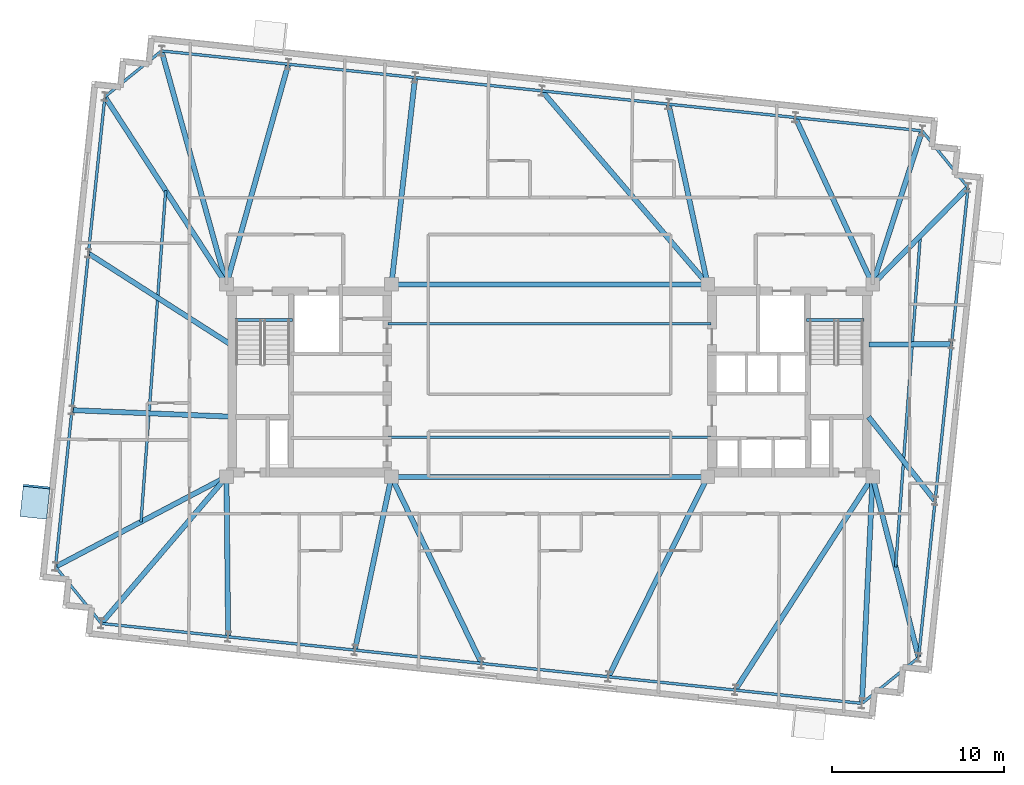
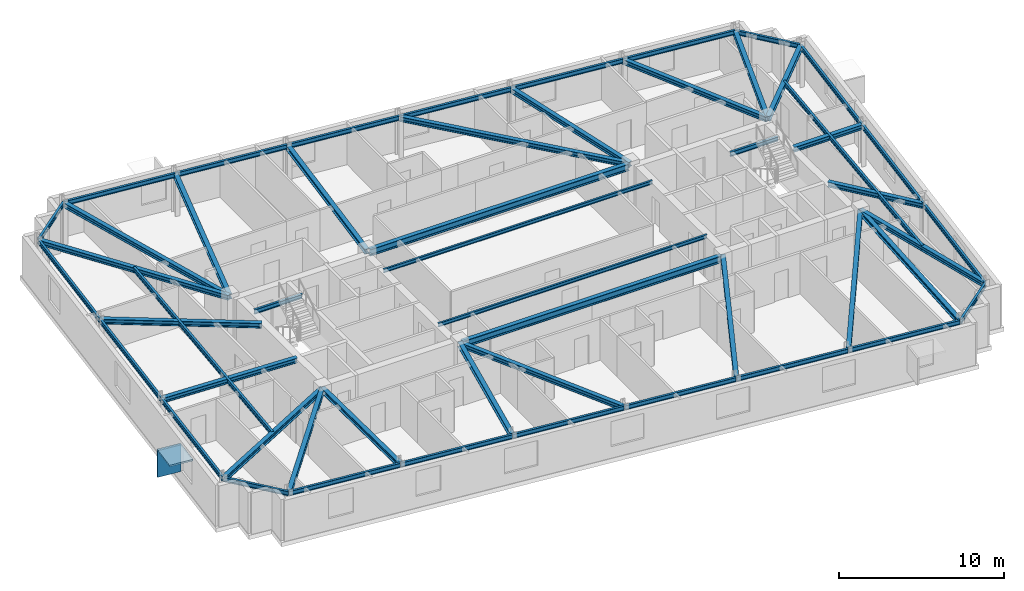
# One storey, part 4 of 11: 52 beams, 2 plates.
"""IFC4 building model written with IfcOpenShell, lengths in metres."""

from ifc_helpers import new_model, si_unit, direction, frame, origin, origin_2d, place, context, subcontext, project, spatial, rectangle, i_section, extrude, material, layer, layer_set, material_profile, profile_set, type_object, element, save


model = new_model("IFC4")

# Units and contexts
model_context = context("Model", 3, precision=1e-05, world=origin(), true_north=direction((0.0, 1.0)))
body_context = subcontext(model_context, "Body", "Model", "MODEL_VIEW")
ifc_project = project(units=[si_unit("LENGTHUNIT", "METRE"), si_unit("AREAUNIT", "SQUARE_METRE"), si_unit("VOLUMEUNIT", "CUBIC_METRE"), si_unit("PLANEANGLEUNIT", "RADIAN"), si_unit("MASSUNIT", "GRAM", prefix="KILO")], contexts=[model_context])

# Site, building, storey
site_placement = place(None, origin())
site = spatial("IfcSite", under=ifc_project, at=site_placement, CompositionType="ELEMENT")
building_placement = place(site_placement, origin())
building = spatial("IfcBuilding", under=site, at=building_placement, Name="Qobustan Lattice House", CompositionType="ELEMENT")
storey_placement = place(building_placement, frame((0.0, 0.0, 209.800048828125)))
storey = spatial("IfcBuildingStorey", under=building, at=storey_placement, Name="L59", CompositionType="ELEMENT", Elevation=209.800048828125)

# Beams
ifc_material_1 = material(Name="Steel S355", Category="steel")
ifc_material_profile_1 = material_profile(ifc_material_1, i_section(OverallWidth=0.300048828125, OverallDepth=0.5, WebThickness=0.014404296875, FlangeThickness=0.028076171875, FilletRadius=0.027099609375, at=origin_2d()), Name="HEB500")
ifc_profile_set_1 = profile_set([ifc_material_profile_1], Name="Steel S355")
beam_type_1 = type_object("IfcBeamType", Name="BM-CG-HEB500", PredefinedType="USERDEFINED", material=ifc_profile_set_1)
for number, where, z_axis, x_axis, name in (
    (1, (-9.050048828125, -5.60009765625, 2.7900390625), (1.0, 0.0, 0.0), (0.0, 1.0, 0.0), "L59 core spine girder CG-CS"),
    (2, (-9.050048828125, 5.60009765625, 2.7900390625), (1.0, 0.0, 0.0), (0.0, 1.0, 0.0), "L59 core spine girder CG-CN"),
):
    element("IfcBeam", number, at=place(storey_placement, frame(where, z_axis=z_axis, x_axis=x_axis)), inside=storey, type_object=beam_type_1, Name=name, ObjectType="GIRDER", PredefinedType="USERDEFINED", context=body_context, shape_type="SweptSolid", body=[
        extrude(i_section(OverallWidth=0.300048828125, OverallDepth=0.5, WebThickness=0.014404296875, FlangeThickness=0.028076171875, FilletRadius=0.027099609375, at=origin_2d()), origin(), (0.0, 0.0, 1.0), 18.10009765625),
    ])
ifc_material_2 = material(Name="Steel S355", Category="steel")
ifc_material_profile_2 = material_profile(ifc_material_2, i_section(OverallWidth=0.300048828125, OverallDepth=0.360107421875, WebThickness=0.012451171875, FlangeThickness=0.0224609375, FilletRadius=0.027099609375, at=origin_2d()), Name="HEB360")
ifc_profile_set_2 = profile_set([ifc_material_profile_2], Name="Steel S355")
beam_type_2 = type_object("IfcBeamType", Name="BM-FLG-HEB360", PredefinedType="USERDEFINED", material=ifc_profile_set_2)
beam_1_placement = place(storey_placement, frame((-26.062744140625, -14.113525390625, 2.85986328125), z_axis=(0.649006911642, 0.760782510736, 0.0), x_axis=(-0.760782510736, 0.649006911642, 0.0)))
element("IfcBeam", 3, at=beam_1_placement, inside=storey, type_object=beam_type_2, Name="L59 primary floor girder RAD-S1W", ObjectType="GIRDER", PredefinedType="USERDEFINED", context=body_context, shape_type="SweptSolid", body=[
    extrude(i_section(OverallWidth=0.300048828125, OverallDepth=0.360107421875, WebThickness=0.012451171875, FlangeThickness=0.0224609375, FilletRadius=0.027099609375, at=origin_2d()), origin(), (0.0, 0.0, 1.0), 11.16552734375),
])
beam_2_placement = place(storey_placement, frame((-18.703125, -14.8828125, 2.85986328125), z_axis=(-0.010442468578, 0.999945475939, 0.0), x_axis=(-0.999945475939, -0.010442468578, 0.0)))
element("IfcBeam", 4, at=beam_2_placement, inside=storey, type_object=beam_type_2, Name="L59 primary floor girder RAD-S2", ObjectType="GIRDER", PredefinedType="USERDEFINED", context=body_context, shape_type="SweptSolid", body=[
    extrude(i_section(OverallWidth=0.300048828125, OverallDepth=0.360107421875, WebThickness=0.012451171875, FlangeThickness=0.0224609375, FilletRadius=0.027099609375, at=origin_2d()), origin(), (0.0, 0.0, 1.0), 9.25830078125),
])
beam_3_placement = place(storey_placement, frame((-11.32177734375, -15.658447265625, 2.85986328125), z_axis=(0.206411213198, 0.978465334627, 0.0), x_axis=(-0.978465334627, 0.206411213198, 0.0)))
element("IfcBeam", 5, at=beam_3_placement, inside=storey, type_object=beam_type_2, Name="L59 primary floor girder RAD-S3", ObjectType="GIRDER", PredefinedType="USERDEFINED", context=body_context, shape_type="SweptSolid", body=[
    extrude(i_section(OverallWidth=0.300048828125, OverallDepth=0.360107421875, WebThickness=0.012451171875, FlangeThickness=0.0224609375, FilletRadius=0.027099609375, at=origin_2d()), origin(), (0.0, 0.0, 1.0), 10.2548828125),
])
beam_4_placement = place(storey_placement, frame((-3.9619140625, -16.435791015625, 2.85986328125), z_axis=(-0.435229353302, 0.900319615483, 0.0), x_axis=(-0.900319615483, -0.435229353302, 0.0)))
element("IfcBeam", 6, at=beam_4_placement, inside=storey, type_object=beam_type_2, Name="L59 primary floor girder RAD-S4", ObjectType="GIRDER", PredefinedType="USERDEFINED", context=body_context, shape_type="SweptSolid", body=[
    extrude(i_section(OverallWidth=0.300048828125, OverallDepth=0.360107421875, WebThickness=0.012451171875, FlangeThickness=0.0224609375, FilletRadius=0.027099609375, at=origin_2d()), origin(), (0.0, 0.0, 1.0), 12.010498046875),
])
beam_5_placement = place(storey_placement, frame((3.436279296875, -17.211181640625, 2.85986328125), z_axis=(0.444630337125, 0.895714163843, 0.0), x_axis=(-0.895714163843, 0.444630337125, 0.0)))
element("IfcBeam", 7, at=beam_5_placement, inside=storey, type_object=beam_type_2, Name="L59 primary floor girder RAD-S5", ObjectType="GIRDER", PredefinedType="USERDEFINED", context=body_context, shape_type="SweptSolid", body=[
    extrude(i_section(OverallWidth=0.300048828125, OverallDepth=0.360107421875, WebThickness=0.012451171875, FlangeThickness=0.0224609375, FilletRadius=0.027099609375, at=origin_2d()), origin(), (0.0, 0.0, 1.0), 12.938232421875),
])
beam_6_placement = place(storey_placement, frame((10.814697265625, -17.98779296875, 2.85986328125), z_axis=(0.541810491961, 0.840500678644, 0.0), x_axis=(-0.840500678644, 0.541810491961, 0.0)))
element("IfcBeam", 8, at=beam_6_placement, inside=storey, type_object=beam_type_2, Name="L59 primary floor girder RAD-S6", ObjectType="GIRDER", PredefinedType="USERDEFINED", context=body_context, shape_type="SweptSolid", body=[
    extrude(i_section(OverallWidth=0.300048828125, OverallDepth=0.360107421875, WebThickness=0.012451171875, FlangeThickness=0.0224609375, FilletRadius=0.027099609375, at=origin_2d()), origin(), (0.0, 0.0, 1.0), 14.71337890625),
])
beam_7_placement = place(storey_placement, frame((18.178466796875, -18.759033203125, 2.85986328125), z_axis=(0.047180517312, 0.998886379318, 0.0), x_axis=(-0.998886379318, 0.047180517312, 0.0)))
element("IfcBeam", 9, at=beam_7_placement, inside=storey, type_object=beam_type_2, Name="L59 primary floor girder RAD-S7E", ObjectType="GIRDER", PredefinedType="USERDEFINED", context=body_context, shape_type="SweptSolid", body=[
    extrude(i_section(OverallWidth=0.300048828125, OverallDepth=0.360107421875, WebThickness=0.012451171875, FlangeThickness=0.0224609375, FilletRadius=0.027099609375, at=origin_2d()), origin(), (0.0, 0.0, 1.0), 13.148681640625),
])
beam_8_placement = place(storey_placement, frame((-22.570556640625, 19.159912109375, 2.85986328125), z_axis=(0.267904661715, -0.963445427739, 0.0), x_axis=(0.963445427739, 0.267904661715, 0.0)))
element("IfcBeam", 10, at=beam_8_placement, inside=storey, type_object=beam_type_2, Name="L59 primary floor girder RAD-N7W", ObjectType="GIRDER", PredefinedType="USERDEFINED", context=body_context, shape_type="SweptSolid", body=[
    extrude(i_section(OverallWidth=0.300048828125, OverallDepth=0.360107421875, WebThickness=0.012451171875, FlangeThickness=0.0224609375, FilletRadius=0.027099609375, at=origin_2d()), origin(), (0.0, 0.0, 1.0), 14.049560546875),
])
beam_9_placement = place(storey_placement, frame((-15.2080078125, 18.384521484375, 2.85986328125), z_axis=(-0.270487929903, -0.962723366174, 0.0), x_axis=(0.962723366174, -0.270487929903, 0.0)))
element("IfcBeam", 11, at=beam_9_placement, inside=storey, type_object=beam_type_2, Name="L59 primary floor girder RAD-N6", ObjectType="GIRDER", PredefinedType="USERDEFINED", context=body_context, shape_type="SweptSolid", body=[
    extrude(i_section(OverallWidth=0.300048828125, OverallDepth=0.360107421875, WebThickness=0.012451171875, FlangeThickness=0.0224609375, FilletRadius=0.027099609375, at=origin_2d()), origin(), (0.0, 0.0, 1.0), 13.254638671875),
])
beam_10_placement = place(storey_placement, frame((-7.827880859375, 17.608642578125, 2.85986328125), z_axis=(-0.11353003651, -0.993534564477, 0.0), x_axis=(0.993534564477, -0.11353003651, 0.0)))
element("IfcBeam", 12, at=beam_10_placement, inside=storey, type_object=beam_type_2, Name="L59 primary floor girder RAD-N5", ObjectType="GIRDER", PredefinedType="USERDEFINED", context=body_context, shape_type="SweptSolid", body=[
    extrude(i_section(OverallWidth=0.300048828125, OverallDepth=0.360107421875, WebThickness=0.012451171875, FlangeThickness=0.0224609375, FilletRadius=0.027099609375, at=origin_2d()), origin(), (0.0, 0.0, 1.0), 12.061767578125),
])
beam_11_placement = place(storey_placement, frame((-0.432861328125, 16.839111328125, 2.85986328125), z_axis=(0.650757358368, -0.759285756833, 0.0), x_axis=(0.759285756833, 0.650757358368, 0.0)))
element("IfcBeam", 13, at=beam_11_placement, inside=storey, type_object=beam_type_2, Name="L59 primary floor girder RAD-N4", ObjectType="GIRDER", PredefinedType="USERDEFINED", context=body_context, shape_type="SweptSolid", body=[
    extrude(i_section(OverallWidth=0.300048828125, OverallDepth=0.360107421875, WebThickness=0.012451171875, FlangeThickness=0.0224609375, FilletRadius=0.027099609375, at=origin_2d()), origin(), (0.0, 0.0, 1.0), 14.77734375),
])
beam_12_placement = place(storey_placement, frame((6.93212890625, 16.05859375, 2.85986328125), z_axis=(0.211908420044, -0.977289527988, 0.0), x_axis=(0.977289527988, 0.211908420044, 0.0)))
element("IfcBeam", 14, at=beam_12_placement, inside=storey, type_object=beam_type_2, Name="L59 primary floor girder RAD-N3", ObjectType="GIRDER", PredefinedType="USERDEFINED", context=body_context, shape_type="SweptSolid", body=[
    extrude(i_section(OverallWidth=0.300048828125, OverallDepth=0.360107421875, WebThickness=0.012451171875, FlangeThickness=0.0224609375, FilletRadius=0.027099609375, at=origin_2d()), origin(), (0.0, 0.0, 1.0), 10.676513671875),
])
beam_13_placement = place(storey_placement, frame((14.3134765625, 15.284912109375, 2.85986328125), z_axis=(0.420345924661, -0.907363931188, 0.0), x_axis=(0.907363931188, 0.420345924661, 0.0)))
element("IfcBeam", 15, at=beam_13_placement, inside=storey, type_object=beam_type_2, Name="L59 primary floor girder RAD-N2", ObjectType="GIRDER", PredefinedType="USERDEFINED", context=body_context, shape_type="SweptSolid", body=[
    extrude(i_section(OverallWidth=0.300048828125, OverallDepth=0.360107421875, WebThickness=0.012451171875, FlangeThickness=0.0224609375, FilletRadius=0.027099609375, at=origin_2d()), origin(), (0.0, 0.0, 1.0), 10.6484375),
])
beam_14_placement = place(storey_placement, frame((21.67138671875, 14.5087890625, 2.85986328125), z_axis=(-0.306773532579, -0.951782538035, 0.0), x_axis=(0.951782538035, -0.306773532579, 0.0)))
element("IfcBeam", 16, at=beam_14_placement, inside=storey, type_object=beam_type_2, Name="L59 primary floor girder RAD-N1E", ObjectType="GIRDER", PredefinedType="USERDEFINED", context=body_context, shape_type="SweptSolid", body=[
    extrude(i_section(OverallWidth=0.300048828125, OverallDepth=0.360107421875, WebThickness=0.012451171875, FlangeThickness=0.0224609375, FilletRadius=0.027099609375, at=origin_2d()), origin(), (0.0, 0.0, 1.0), 9.335205078125),
])
beam_15_placement = place(storey_placement, frame((-25.86083984375, 16.492919921875, 2.85986328125), z_axis=(0.543926170046, -0.839133077371, 0.0), x_axis=(0.839133077371, 0.543926170046, 0.0)))
element("IfcBeam", 17, at=beam_15_placement, inside=storey, type_object=beam_type_2, Name="L59 primary floor girder RAD-W1", ObjectType="GIRDER", PredefinedType="USERDEFINED", context=body_context, shape_type="SweptSolid", body=[
    extrude(i_section(OverallWidth=0.300048828125, OverallDepth=0.360107421875, WebThickness=0.012451171875, FlangeThickness=0.0224609375, FilletRadius=0.027099609375, at=origin_2d()), origin(), (0.0, 0.0, 1.0), 12.9560546875),
])
beam_16_placement = place(storey_placement, frame((-26.8115234375, 7.384033203125, 2.85986328125), z_axis=(0.842429105495, -0.538807203195, 0.0), x_axis=(0.538807203195, 0.842429105495, 0.0)))
element("IfcBeam", 18, at=beam_16_placement, inside=storey, type_object=beam_type_2, Name="L59 primary floor girder RAD-W2", ObjectType="GIRDER", PredefinedType="USERDEFINED", context=body_context, shape_type="SweptSolid", body=[
    extrude(i_section(OverallWidth=0.300048828125, OverallDepth=0.360107421875, WebThickness=0.012451171875, FlangeThickness=0.0224609375, FilletRadius=0.027099609375, at=origin_2d()), origin(), (0.0, 0.0, 1.0), 9.78173828125),
])
beam_17_placement = place(storey_placement, frame((-27.765869140625, -1.719970703125, 2.85986328125), z_axis=(0.999150190925, -0.041217665795, 0.0), x_axis=(0.041217665795, 0.999150190925, 0.0)))
element("IfcBeam", 19, at=beam_17_placement, inside=storey, type_object=beam_type_2, Name="L59 primary floor girder RAD-W3", ObjectType="GIRDER", PredefinedType="USERDEFINED", context=body_context, shape_type="SweptSolid", body=[
    extrude(i_section(OverallWidth=0.300048828125, OverallDepth=0.360107421875, WebThickness=0.012451171875, FlangeThickness=0.0224609375, FilletRadius=0.027099609375, at=origin_2d()), origin(), (0.0, 0.0, 1.0), 9.19873046875),
])
beam_18_placement = place(storey_placement, frame((-28.726806640625, -10.82373046875, 2.85986328125), z_axis=(0.884950868639, 0.465684399669, 0.0), x_axis=(-0.465684399669, 0.884950868639, 0.0)))
element("IfcBeam", 20, at=beam_18_placement, inside=storey, type_object=beam_type_2, Name="L59 primary floor girder RAD-W4", ObjectType="GIRDER", PredefinedType="USERDEFINED", context=body_context, shape_type="SweptSolid", body=[
    extrude(i_section(OverallWidth=0.300048828125, OverallDepth=0.360107421875, WebThickness=0.012451171875, FlangeThickness=0.0224609375, FilletRadius=0.027099609375, at=origin_2d()), origin(), (0.0, 0.0, 1.0), 11.1923828125),
])
beam_19_placement = place(storey_placement, frame((24.331298828125, 11.217529296875, 2.85986328125), z_axis=(-0.701633616284, -0.712537906712, 0.0), x_axis=(0.712537906712, -0.701633616284, 0.0)))
element("IfcBeam", 21, at=beam_19_placement, inside=storey, type_object=beam_type_2, Name="L59 primary floor girder RAD-E4", ObjectType="GIRDER", PredefinedType="USERDEFINED", context=body_context, shape_type="SweptSolid", body=[
    extrude(i_section(OverallWidth=0.300048828125, OverallDepth=0.360107421875, WebThickness=0.012451171875, FlangeThickness=0.0224609375, FilletRadius=0.027099609375, at=origin_2d()), origin(), (0.0, 0.0, 1.0), 7.858642578125),
])
beam_20_placement = place(storey_placement, frame((23.36572265625, 2.118896484375, 2.85986328125), z_axis=(-0.999992301331, -0.003923936564, 0.0), x_axis=(0.003923936564, -0.999992301331, 0.0)))
element("IfcBeam", 22, at=beam_20_placement, inside=storey, type_object=beam_type_2, Name="L59 primary floor girder RAD-E3", ObjectType="GIRDER", PredefinedType="USERDEFINED", context=body_context, shape_type="SweptSolid", body=[
    extrude(i_section(OverallWidth=0.300048828125, OverallDepth=0.360107421875, WebThickness=0.012451171875, FlangeThickness=0.0224609375, FilletRadius=0.027099609375, at=origin_2d()), origin(), (0.0, 0.0, 1.0), 4.790771484375),
])
beam_21_placement = place(storey_placement, frame((22.4169921875, -6.97802734375, 2.85986328125), z_axis=(-0.621231320857, 0.783627236629, 0.0), x_axis=(-0.783627236629, -0.621231320857, 0.0)))
element("IfcBeam", 23, at=beam_21_placement, inside=storey, type_object=beam_type_2, Name="L59 primary floor girder RAD-E2", ObjectType="GIRDER", PredefinedType="USERDEFINED", context=body_context, shape_type="SweptSolid", body=[
    extrude(i_section(OverallWidth=0.300048828125, OverallDepth=0.360107421875, WebThickness=0.012451171875, FlangeThickness=0.0224609375, FilletRadius=0.027099609375, at=origin_2d()), origin(), (0.0, 0.0, 1.0), 6.199951171875),
])
beam_22_placement = place(storey_placement, frame((21.46826171875, -16.08984375, 2.85986328125), z_axis=(-0.246517911643, 0.969138235361, 0.0), x_axis=(-0.969138235361, -0.246517911643, 0.0)))
element("IfcBeam", 24, at=beam_22_placement, inside=storey, type_object=beam_type_2, Name="L59 primary floor girder RAD-E1", ObjectType="GIRDER", PredefinedType="USERDEFINED", context=body_context, shape_type="SweptSolid", body=[
    extrude(i_section(OverallWidth=0.300048828125, OverallDepth=0.360107421875, WebThickness=0.012451171875, FlangeThickness=0.0224609375, FilletRadius=0.027099609375, at=origin_2d()), origin(), (0.0, 0.0, 1.0), 10.798828125),
])
ifc_material_3 = material(Name="Steel S355", Category="steel")
ifc_material_profile_3 = material_profile(ifc_material_3, i_section(OverallWidth=0.135009765625, OverallDepth=0.27001953125, WebThickness=0.006591796875, FlangeThickness=0.01025390625, FilletRadius=0.014892578125, at=origin_2d()), Name="IPE270")
ifc_profile_set_3 = profile_set([ifc_material_profile_3], Name="Steel S355")
beam_type_3 = type_object("IfcBeamType", Name="BM-JST-IPE270", PredefinedType="JOIST", material=ifc_profile_set_3)
for number, where, z_axis, x_axis, name in (
    (25, (-9.39990234375, -3.300048828125, 2.905029296875), (1.0, 0.0, 0.0), (0.0, 1.0, 0.0), "L59 central span floor joist 1"),
    (26, (-9.39990234375, 3.300048828125, 2.905029296875), (1.0, 0.0, 0.0), (0.0, 1.0, 0.0), "L59 central span floor joist 2"),
):
    element("IfcBeam", number, at=place(storey_placement, frame(where, z_axis=z_axis, x_axis=x_axis)), inside=storey, type_object=beam_type_3, Name=name, PredefinedType="JOIST", context=body_context, shape_type="SweptSolid", body=[
        extrude(i_section(OverallWidth=0.135009765625, OverallDepth=0.27001953125, WebThickness=0.006591796875, FlangeThickness=0.01025390625, FilletRadius=0.014892578125, at=origin_2d()), origin(), (0.0, 0.0, 1.0), 18.7998046875),
    ])
ifc_material_4 = material(Name="Steel S355", Category="steel")
ifc_material_profile_4 = material_profile(ifc_material_4, i_section(OverallWidth=0.159912109375, OverallDepth=0.330078125, WebThickness=0.007568359375, FlangeThickness=0.011474609375, FilletRadius=0.01806640625, at=origin_2d()), Name="IPE330")
ifc_profile_set_4 = profile_set([ifc_material_profile_4], Name="Steel S355")
beam_type_4 = type_object("IfcBeamType", Name="BM-SEC-IPE330", PredefinedType="BEAM", material=ifc_profile_set_4)
beam_23_placement = place(storey_placement, frame((-22.337158203125, 11.056884765625, 2.875), z_axis=(-0.074361616657, -0.997231342251, 0.0), x_axis=(0.997231342251, -0.074361616657, 0.0)))
element("IfcBeam", 27, at=beam_23_placement, inside=storey, type_object=beam_type_4, Name="L59 west wing secondary beam", PredefinedType="BEAM", context=body_context, shape_type="SweptSolid", body=[
    extrude(i_section(OverallWidth=0.159912109375, OverallDepth=0.330078125, WebThickness=0.007568359375, FlangeThickness=0.011474609375, FilletRadius=0.01806640625, at=origin_2d()), origin(), (0.0, 0.0, 1.0), 19.327880859375),
])
beam_24_placement = place(storey_placement, frame((21.574462890625, 8.417724609375, 2.875), z_axis=(-0.074360679971, -0.997231412098, 0.0), x_axis=(0.997231412098, -0.074360679971, 0.0)))
element("IfcBeam", 28, at=beam_24_placement, inside=storey, type_object=beam_type_4, Name="L59 east wing secondary beam", PredefinedType="BEAM", context=body_context, shape_type="SweptSolid", body=[
    extrude(i_section(OverallWidth=0.159912109375, OverallDepth=0.330078125, WebThickness=0.007568359375, FlangeThickness=0.011474609375, FilletRadius=0.01806640625, at=origin_2d()), origin(), (0.0, 0.0, 1.0), 19.328125),
])
ifc_material_5 = material(Name="Steel S355", Category="steel")
ifc_material_profile_5 = material_profile(ifc_material_5, i_section(OverallWidth=0.159912109375, OverallDepth=0.330078125, WebThickness=0.007568359375, FlangeThickness=0.011474609375, FilletRadius=0.01806640625, at=origin_2d()), Name="IPE330")
ifc_profile_set_5 = profile_set([ifc_material_profile_5], Name="Steel S355")
beam_type_5 = type_object("IfcBeamType", Name="BM-SPD-IPE330", PredefinedType="SPANDREL", material=ifc_profile_set_5)
for number, where, z_axis, x_axis, name in (
    (29, (-18.300048828125, 3.52001953125, 2.875), (1.0, 0.0, 0.0), (0.0, 1.0, 0.0), "L59 west stair landing trimmer beam"),
    (30, (14.949951171875, 3.52001953125, 2.875), (1.0, 0.0, 0.0), (0.0, 1.0, 0.0), "L59 east stair landing trimmer beam"),
):
    element("IfcBeam", number, at=place(storey_placement, frame(where, z_axis=z_axis, x_axis=x_axis)), inside=storey, type_object=beam_type_5, Name=name, PredefinedType="SPANDREL", context=body_context, shape_type="SweptSolid", body=[
        extrude(i_section(OverallWidth=0.159912109375, OverallDepth=0.330078125, WebThickness=0.007568359375, FlangeThickness=0.011474609375, FilletRadius=0.01806640625, at=origin_2d()), origin(), (0.0, 0.0, 1.0), 3.35009765625),
    ])
beam_25_placement = place(storey_placement, frame((-26.05419921875, -14.135009765625, 2.875), z_axis=(0.99452214685, -0.104526070551, 0.0), x_axis=(0.104526070551, 0.99452214685, 0.0)))
element("IfcBeam", 31, at=beam_25_placement, inside=storey, type_object=beam_type_5, Name="L59 perimeter spandrel S1-S2", PredefinedType="SPANDREL", context=body_context, shape_type="SweptSolid", body=[
    extrude(i_section(OverallWidth=0.159912109375, OverallDepth=0.330078125, WebThickness=0.007568359375, FlangeThickness=0.011474609375, FilletRadius=0.01806640625, at=origin_2d()), origin(), (0.0, 0.0, 1.0), 7.36669921875),
])
for number, where, z_axis, x_axis, name in (
    (32, (-18.677978515625, -14.910400390625, 2.875), (0.994521784746, -0.104529515765, 0.0), (0.104529515765, 0.994521784746, 0.0), "L59 perimeter spandrel S2-S3"),
    (33, (-11.302001953125, -15.685546875, 2.875), (0.994521784746, -0.104529515765, 0.0), (0.104529515765, 0.994521784746, 0.0), "L59 perimeter spandrel S3-S4"),
):
    element("IfcBeam", number, at=place(storey_placement, frame(where, z_axis=z_axis, x_axis=x_axis)), inside=storey, type_object=beam_type_5, Name=name, PredefinedType="SPANDREL", context=body_context, shape_type="SweptSolid", body=[
        extrude(i_section(OverallWidth=0.159912109375, OverallDepth=0.330078125, WebThickness=0.007568359375, FlangeThickness=0.011474609375, FilletRadius=0.01806640625, at=origin_2d()), origin(), (0.0, 0.0, 1.0), 7.366455078125),
    ])
beam_26_placement = place(storey_placement, frame((-3.926025390625, -16.460693359375, 2.875), z_axis=(0.99451870122, -0.10455884909, 0.0), x_axis=(0.10455884909, 0.99451870122, 0.0)))
element("IfcBeam", 34, at=beam_26_placement, inside=storey, type_object=beam_type_5, Name="L59 perimeter spandrel S4-S5", PredefinedType="SPANDREL", context=body_context, shape_type="SweptSolid", body=[
    extrude(i_section(OverallWidth=0.159912109375, OverallDepth=0.330078125, WebThickness=0.007568359375, FlangeThickness=0.011474609375, FilletRadius=0.01806640625, at=origin_2d()), origin(), (0.0, 0.0, 1.0), 7.36669921875),
])
for number, where, z_axis, x_axis, name in (
    (35, (3.4501953125, -17.236083984375, 2.875), (0.994521784746, -0.104529515765, 0.0), (0.104529515765, 0.994521784746, 0.0), "L59 perimeter spandrel S5-S6"),
    (36, (10.826171875, -18.01123046875, 2.875), (0.99451833889, -0.104562295361, 0.0), (0.104562295361, 0.99451833889, 0.0), "L59 perimeter spandrel S6-S7"),
):
    element("IfcBeam", number, at=place(storey_placement, frame(where, z_axis=z_axis, x_axis=x_axis)), inside=storey, type_object=beam_type_5, Name=name, PredefinedType="SPANDREL", context=body_context, shape_type="SweptSolid", body=[
        extrude(i_section(OverallWidth=0.159912109375, OverallDepth=0.330078125, WebThickness=0.007568359375, FlangeThickness=0.011474609375, FilletRadius=0.01806640625, at=origin_2d()), origin(), (0.0, 0.0, 1.0), 7.366455078125),
    ])
beam_27_placement = place(storey_placement, frame((18.19677734375, -18.768310546875, 2.875), z_axis=(0.777128239225, 0.629342275554, 0.0), x_axis=(-0.629342275554, 0.777128239225, 0.0)))
element("IfcBeam", 37, at=beam_27_placement, inside=storey, type_object=beam_type_5, Name="L59 perimeter spandrel S7-E1", PredefinedType="SPANDREL", context=body_context, shape_type="SweptSolid", body=[
    extrude(i_section(OverallWidth=0.159912109375, OverallDepth=0.330078125, WebThickness=0.007568359375, FlangeThickness=0.011474609375, FilletRadius=0.01806640625, at=origin_2d()), origin(), (0.0, 0.0, 1.0), 4.192626953125),
])
for number, where, z_axis, x_axis, name in (
    (38, (21.47705078125, -16.089111328125, 2.875), (0.10452168293, 0.994522607987, 0.0), (-0.994522607987, 0.10452168293, 0.0), "L59 perimeter spandrel E1-E2"),
    (39, (22.435302734375, -6.97265625, 2.875), (0.10452168293, 0.994522607987, 0.0), (-0.994522607987, 0.10452168293, 0.0), "L59 perimeter spandrel E2-E3"),
    (40, (23.393310546875, 2.143798828125, 2.875), (0.10452168293, 0.994522607987, 0.0), (-0.994522607987, 0.10452168293, 0.0), "L59 perimeter spandrel E3-E4"),
):
    element("IfcBeam", number, at=place(storey_placement, frame(where, z_axis=z_axis, x_axis=x_axis)), inside=storey, type_object=beam_type_5, Name=name, PredefinedType="SPANDREL", context=body_context, shape_type="SweptSolid", body=[
        extrude(i_section(OverallWidth=0.159912109375, OverallDepth=0.330078125, WebThickness=0.007568359375, FlangeThickness=0.011474609375, FilletRadius=0.01806640625, at=origin_2d()), origin(), (0.0, 0.0, 1.0), 9.11669921875),
    ])
beam_28_placement = place(storey_placement, frame((24.333251953125, 11.254638671875, 2.875), z_axis=(-0.629313797654, 0.777151300637, 0.0), x_axis=(-0.777151300637, -0.629313797654, 0.0)))
element("IfcBeam", 41, at=beam_28_placement, inside=storey, type_object=beam_type_5, Name="L59 perimeter spandrel E4-N1", PredefinedType="SPANDREL", context=body_context, shape_type="SweptSolid", body=[
    extrude(i_section(OverallWidth=0.159912109375, OverallDepth=0.330078125, WebThickness=0.007568359375, FlangeThickness=0.011474609375, FilletRadius=0.01806640625, at=origin_2d()), origin(), (0.0, 0.0, 1.0), 4.19287109375),
])
for number, where, z_axis, x_axis, name in (
    (42, (21.654052734375, 14.53515625, 2.875), (-0.994521784746, 0.104529515765, 0.0), (-0.104529515765, -0.994521784746, 0.0), "L59 perimeter spandrel N1-N2"),
    (43, (14.278076171875, 15.310302734375, 2.875), (-0.994521784746, 0.104529515765, 0.0), (-0.104529515765, -0.994521784746, 0.0), "L59 perimeter spandrel N2-N3"),
):
    element("IfcBeam", number, at=place(storey_placement, frame(where, z_axis=z_axis, x_axis=x_axis)), inside=storey, type_object=beam_type_5, Name=name, PredefinedType="SPANDREL", context=body_context, shape_type="SweptSolid", body=[
        extrude(i_section(OverallWidth=0.159912109375, OverallDepth=0.330078125, WebThickness=0.007568359375, FlangeThickness=0.011474609375, FilletRadius=0.01806640625, at=origin_2d()), origin(), (0.0, 0.0, 1.0), 7.366455078125),
    ])
beam_29_placement = place(storey_placement, frame((6.902099609375, 16.085693359375, 2.875), z_axis=(-0.99452214685, 0.104526070551, 0.0), x_axis=(-0.104526070551, -0.99452214685, 0.0)))
element("IfcBeam", 44, at=beam_29_placement, inside=storey, type_object=beam_type_5, Name="L59 perimeter spandrel N3-N4", PredefinedType="SPANDREL", context=body_context, shape_type="SweptSolid", body=[
    extrude(i_section(OverallWidth=0.159912109375, OverallDepth=0.330078125, WebThickness=0.007568359375, FlangeThickness=0.011474609375, FilletRadius=0.01806640625, at=origin_2d()), origin(), (0.0, 0.0, 1.0), 7.36669921875),
])
for number, where, z_axis, x_axis, name in (
    (45, (-0.47412109375, 16.86083984375, 2.875), (-0.994521784746, 0.104529515765, 0.0), (-0.104529515765, -0.994521784746, 0.0), "L59 perimeter spandrel N4-N5"),
    (46, (-7.85009765625, 17.635986328125, 2.875), (-0.994521784746, 0.104529515765, 0.0), (-0.104529515765, -0.994521784746, 0.0), "L59 perimeter spandrel N5-N6"),
):
    element("IfcBeam", number, at=place(storey_placement, frame(where, z_axis=z_axis, x_axis=x_axis)), inside=storey, type_object=beam_type_5, Name=name, PredefinedType="SPANDREL", context=body_context, shape_type="SweptSolid", body=[
        extrude(i_section(OverallWidth=0.159912109375, OverallDepth=0.330078125, WebThickness=0.007568359375, FlangeThickness=0.011474609375, FilletRadius=0.01806640625, at=origin_2d()), origin(), (0.0, 0.0, 1.0), 7.366455078125),
    ])
beam_30_placement = place(storey_placement, frame((-15.22607421875, 18.411376953125, 2.875), z_axis=(-0.99452214685, 0.104526070551, 0.0), x_axis=(-0.104526070551, -0.99452214685, 0.0)))
element("IfcBeam", 47, at=beam_30_placement, inside=storey, type_object=beam_type_5, Name="L59 perimeter spandrel N6-N7", PredefinedType="SPANDREL", context=body_context, shape_type="SweptSolid", body=[
    extrude(i_section(OverallWidth=0.159912109375, OverallDepth=0.330078125, WebThickness=0.007568359375, FlangeThickness=0.011474609375, FilletRadius=0.01806640625, at=origin_2d()), origin(), (0.0, 0.0, 1.0), 7.36669921875),
])
beam_31_placement = place(storey_placement, frame((-22.5966796875, 19.168212890625, 2.875), z_axis=(-0.777156718239, -0.629307107299, 0.0), x_axis=(0.629307107299, -0.777156718239, 0.0)))
element("IfcBeam", 48, at=beam_31_placement, inside=storey, type_object=beam_type_5, Name="L59 perimeter spandrel N7-W1", PredefinedType="SPANDREL", context=body_context, shape_type="SweptSolid", body=[
    extrude(i_section(OverallWidth=0.159912109375, OverallDepth=0.330078125, WebThickness=0.007568359375, FlangeThickness=0.011474609375, FilletRadius=0.01806640625, at=origin_2d()), origin(), (0.0, 0.0, 1.0), 4.192626953125),
])
beam_32_placement = place(storey_placement, frame((-25.876953125, 16.489013671875, 2.875), z_axis=(-0.104550954592, -0.994519531178, 0.0), x_axis=(0.994519531178, -0.104550954592, 0.0)))
element("IfcBeam", 49, at=beam_32_placement, inside=storey, type_object=beam_type_5, Name="L59 perimeter spandrel W1-W2", PredefinedType="SPANDREL", context=body_context, shape_type="SweptSolid", body=[
    extrude(i_section(OverallWidth=0.159912109375, OverallDepth=0.330078125, WebThickness=0.007568359375, FlangeThickness=0.011474609375, FilletRadius=0.01806640625, at=origin_2d()), origin(), (0.0, 0.0, 1.0), 9.116455078125),
])
beam_33_placement = place(storey_placement, frame((-26.835205078125, 7.372802734375, 2.875), z_axis=(-0.104518899262, -0.994522900539, 0.0), x_axis=(0.994522900539, -0.104518899262, 0.0)))
element("IfcBeam", 50, at=beam_33_placement, inside=storey, type_object=beam_type_5, Name="L59 perimeter spandrel W2-W3", PredefinedType="SPANDREL", context=body_context, shape_type="SweptSolid", body=[
    extrude(i_section(OverallWidth=0.159912109375, OverallDepth=0.330078125, WebThickness=0.007568359375, FlangeThickness=0.011474609375, FilletRadius=0.01806640625, at=origin_2d()), origin(), (0.0, 0.0, 1.0), 9.116943359375),
])
beam_34_placement = place(storey_placement, frame((-27.79345703125, -1.743896484375, 2.875), z_axis=(-0.104524466745, -0.994522315412, 0.0), x_axis=(0.994522315412, -0.104524466745, 0.0)))
element("IfcBeam", 51, at=beam_34_placement, inside=storey, type_object=beam_type_5, Name="L59 perimeter spandrel W3-W4", PredefinedType="SPANDREL", context=body_context, shape_type="SweptSolid", body=[
    extrude(i_section(OverallWidth=0.159912109375, OverallDepth=0.330078125, WebThickness=0.007568359375, FlangeThickness=0.011474609375, FilletRadius=0.01806640625, at=origin_2d()), origin(), (0.0, 0.0, 1.0), 9.116455078125),
])
beam_35_placement = place(storey_placement, frame((-28.733154296875, -10.854736328125, 2.875), z_axis=(0.629307107299, -0.777156718239, 0.0), x_axis=(0.777156718239, 0.629307107299, 0.0)))
element("IfcBeam", 52, at=beam_35_placement, inside=storey, type_object=beam_type_5, Name="L59 perimeter spandrel W4-S1", PredefinedType="SPANDREL", context=body_context, shape_type="SweptSolid", body=[
    extrude(i_section(OverallWidth=0.159912109375, OverallDepth=0.330078125, WebThickness=0.007568359375, FlangeThickness=0.011474609375, FilletRadius=0.01806640625, at=origin_2d()), origin(), (0.0, 0.0, 1.0), 4.192626953125),
])

# Plates
ifc_material_6 = material(Name="Qobustan limestone GFRC", Category="masonry")
ifc_layer = layer(ifc_material_6, 0.1201171875)
ifc_layer_set = layer_set([ifc_layer], Name="Qobustan limestone GFRC")
plate_type = type_object("IfcPlateType", Name="SHD-HOOD-BROW", PredefinedType="USERDEFINED", material=ifc_layer_set)
plate_1_placement = place(storey_placement, frame((-29.939697265625, -7.048095703125, 2.699951171875), z_axis=(0.0, 0.0, 1.0), x_axis=(0.104528463268, 0.994521895368, 0.0)))
element("IfcPlate", 53, at=plate_1_placement, inside=storey, type_object=plate_type, Name="L59 splayed Qobustan stone hood brow", ObjectType="SUNSHADE", PredefinedType="USERDEFINED", context=body_context, shape_type="SweptSolid", body=[
    extrude(rectangle(XDim=1.889892578125, YDim=1.56005859375, at=origin_2d()), origin(), (0.0, 0.0, 1.0), 0.1201171875),
])
plate_2_placement = place(storey_placement, frame((-29.84716796875, -6.16796875, 0.7900390625), z_axis=(0.0, 0.0, 1.0), x_axis=(0.104528463268, 0.994521895368, 0.0)))
element("IfcPlate", 54, at=plate_2_placement, inside=storey, type_object=plate_type, Name="L59 splayed Qobustan stone hood cheek", ObjectType="SUNSHADE", PredefinedType="USERDEFINED", context=body_context, shape_type="SweptSolid", body=[
    extrude(rectangle(XDim=0.1201171875, YDim=1.56005859375, at=origin_2d()), origin(), (0.0, 0.0, 1.0), 1.969970703125),
])

save(model, "model.ifc")
